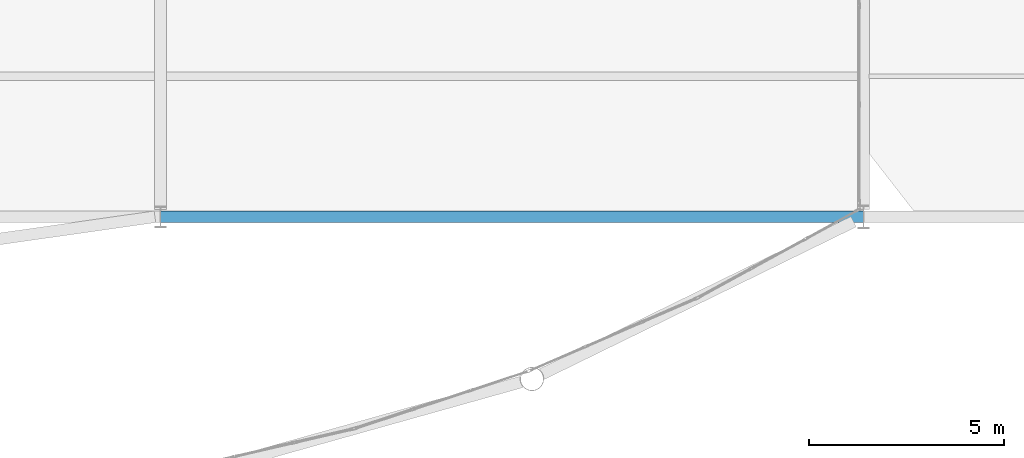
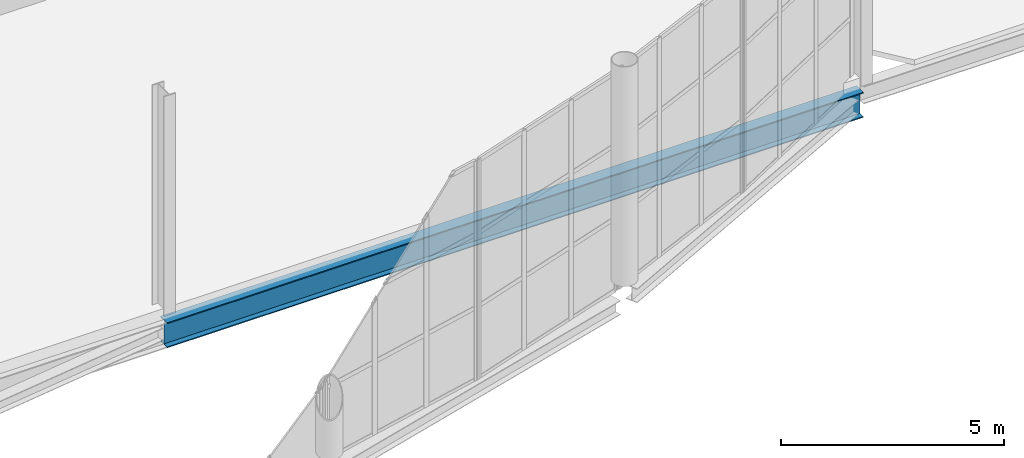
# One storey, part 47 of 191: 1 beam.
"""IFC4 building model written with IfcOpenShell, lengths in metres."""

from ifc_helpers import new_model, si_unit, direction, frame, origin, origin_2d, place, context, subcontext, project, spatial, i_section, extrude, material, material_profile, profile_set, type_object, element, save


model = new_model("IFC4")

# Units and contexts
model_context = context("Model", 3, precision=1e-05, world=origin(), true_north=direction((0.0, 1.0)))
body_context = subcontext(model_context, "Body", "Model", "MODEL_VIEW")
ifc_project = project(units=[si_unit("LENGTHUNIT", "METRE"), si_unit("AREAUNIT", "SQUARE_METRE"), si_unit("VOLUMEUNIT", "CUBIC_METRE"), si_unit("PLANEANGLEUNIT", "RADIAN"), si_unit("MASSUNIT", "GRAM", prefix="KILO")], contexts=[model_context])

# Site, building, storey
site_placement = place(None, origin())
site = spatial("IfcSite", under=ifc_project, at=site_placement, CompositionType="ELEMENT")
building_placement = place(site_placement, origin())
building = spatial("IfcBuilding", under=site, at=building_placement, Name="Tamarisk Ironworks Central Station", CompositionType="ELEMENT")
storey_placement = place(building_placement, frame((0.0, 0.0, 6.60009765625)))
storey = spatial("IfcBuildingStorey", under=building, at=storey_placement, Name="L01", CompositionType="ELEMENT", Elevation=6.60009765625)

# Beam
ifc_material = material(Name="Structural steel S355J2", Category="steel")
ifc_material_profile = material_profile(ifc_material, i_section(OverallWidth=0.300048828125, OverallDepth=0.68994140625, WebThickness=0.014404296875, FlangeThickness=0.027099609375, at=origin_2d()), Name="HEA 700")
ifc_profile_set = profile_set([ifc_material_profile], Name="Structural steel S355J2")
beam_type = type_object("IfcBeamType", Name="BM-G01", PredefinedType="BEAM", material=ifc_profile_set)
beam_placement = place(storey_placement, frame((90.00390625, 10.800048828125, -0.64501953125), z_axis=(1.0, 0.0, 0.0), x_axis=(0.0, 1.0, 0.0)))
element("IfcBeam", 1, at=beam_placement, inside=storey, type_object=beam_type, Name="L01 primary girder X-0019", PredefinedType="BEAM", context=body_context, shape_type="SweptSolid", body=[
    extrude(i_section(OverallWidth=0.300048828125, OverallDepth=0.68994140625, WebThickness=0.014404296875, FlangeThickness=0.027099609375, at=origin_2d()), origin(), (0.0, 0.0, 1.0), 17.9921875),
])

save(model, "model.ifc")
